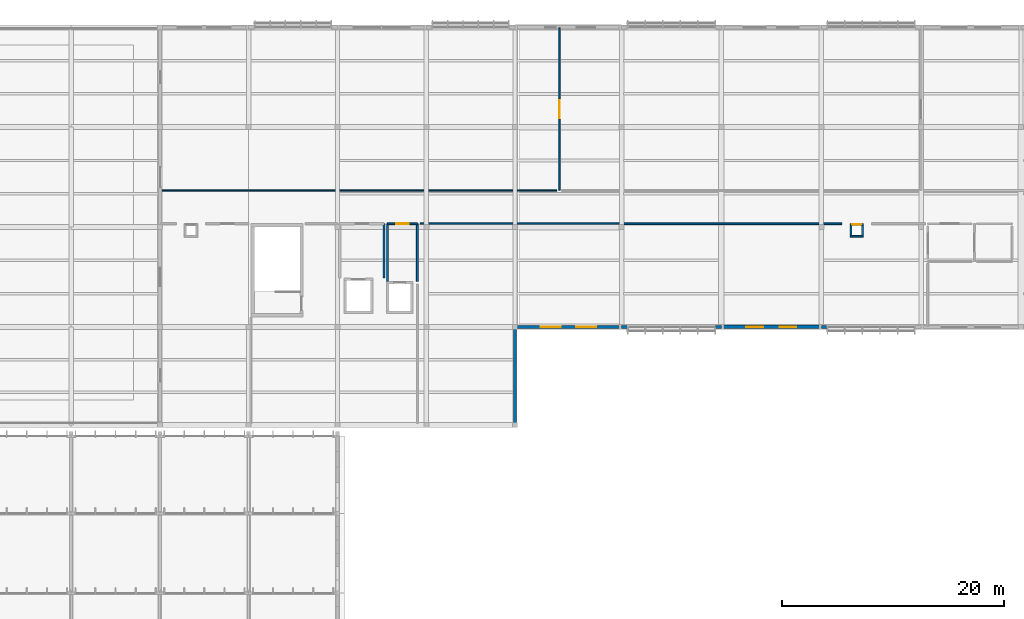
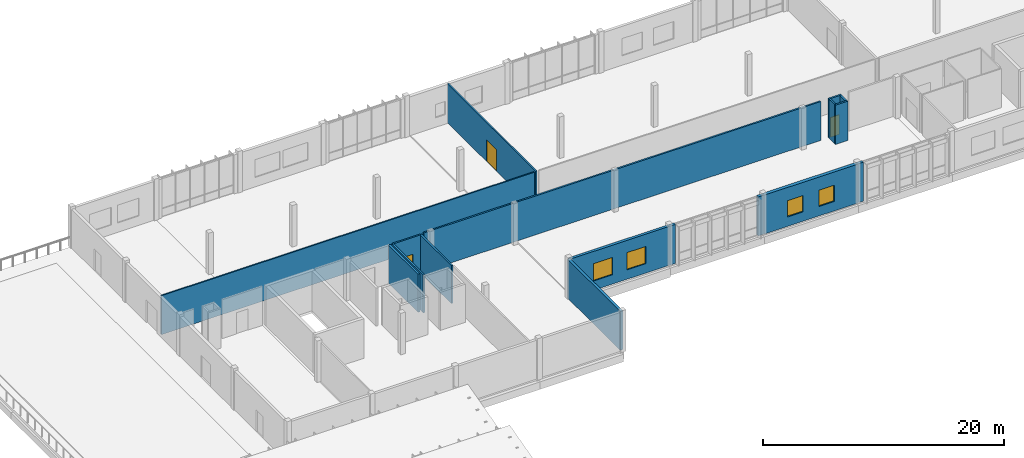
# One storey, part 85 of 94: 17 walls, 4 windows, 3 doors, 7 openings.
"""IFC4 building model written with IfcOpenShell, lengths in metres."""

from ifc_helpers import new_model, si_unit, direction, frame, frame_2d, origin, place, context, subcontext, project, spatial, rectangle, extrude, material, layer, layer_set, type_object, element, fill, save


model = new_model("IFC4")

# Units and contexts
model_context = context("Model", 3, precision=1e-05, world=origin(), true_north=direction((0.0, 1.0)))
body_context = subcontext(model_context, "Body", "Model", "MODEL_VIEW")
ifc_project = project(units=[si_unit("LENGTHUNIT", "METRE"), si_unit("AREAUNIT", "SQUARE_METRE"), si_unit("VOLUMEUNIT", "CUBIC_METRE"), si_unit("PLANEANGLEUNIT", "RADIAN"), si_unit("MASSUNIT", "GRAM", prefix="KILO")], contexts=[model_context])

# Site, building, storey
site_placement = place(None, origin())
site = spatial("IfcSite", under=ifc_project, at=site_placement, CompositionType="ELEMENT")
building_placement = place(site_placement, origin())
building = spatial("IfcBuilding", under=site, at=building_placement, Name="Chiffa Square Polytechnic", CompositionType="ELEMENT")
storey_placement = place(building_placement, frame((0.0, 0.0, 18.0)))
storey = spatial("IfcBuildingStorey", under=building, at=storey_placement, Name="L04", CompositionType="ELEMENT", Elevation=18.0)

# Wall, openings, windows
ifc_material_1 = material(Name="Precast concrete C40/50", Category="concrete")
ifc_layer_1 = layer(ifc_material_1, 0.260009765625, Name="Precast concrete C40/50")
ifc_layer_set_1 = layer_set([ifc_layer_1], Name="Precast concrete C40/50")
wall_type_1 = type_object("IfcWallType", Name="WL-EXT-PC260", PredefinedType="SOLIDWALL", material=ifc_layer_set_1)
wall_1_placement = place(storey_placement, frame((48.0, 103.800048828125, 0.0), z_axis=(0.0, 0.0, 1.0), x_axis=(1.0, 0.0, 0.0)))
wall_1 = element("IfcWall", 1, at=wall_1_placement, inside=storey, type_object=wall_type_1, Name="Exterior wall WE-V5-L04-0365", PredefinedType="SOLIDWALL", context=body_context, shape_type="SweptSolid", body=[
    extrude(rectangle(XDim=9.60009765625, YDim=0.260009765625, at=frame_2d((4.800048828125, 0.0))), origin(), (0.0, 0.0, 1.0), 3.93994140625),
])
opening_1_placement = place(wall_1_placement, frame((2.300048828125, 0.0, 0.949951171875)))
opening_1 = element("IfcOpeningElement", 2, at=opening_1_placement, cuts=wall_1, Name="Opening W-05", PredefinedType="OPENING", context=body_context, shape_type="SweptSolid", body=[
    extrude(rectangle(XDim=1.800048828125, YDim=1.75, at=frame_2d((0.89990234375, 0.875))), frame((0.0, 0.14013671875, 0.0), z_axis=(0.0, -1.0, 0.0), x_axis=(1.0, 0.0, 0.0)), (0.0, 0.0, 1.0), 0.280029296875),
])
opening_2_placement = place(wall_1_placement, frame((5.5, 0.0, 0.949951171875)))
opening_2 = element("IfcOpeningElement", 3, at=opening_2_placement, cuts=wall_1, Name="Opening W-05", PredefinedType="OPENING", context=body_context, shape_type="SweptSolid", body=[
    extrude(rectangle(XDim=1.800048828125, YDim=1.75, at=frame_2d((0.89990234375, 0.875))), frame((0.0, 0.14013671875, 0.0), z_axis=(0.0, -1.0, 0.0), x_axis=(1.0, 0.0, 0.0)), (0.0, 0.0, 1.0), 0.280029296875),
])
ifc_material_2 = material(Name="Double glazing in thermally broken aluminium frame", Category="aluminium")
window_type_1 = type_object("IfcWindowType", Name="WIN-LAB-1800X1750", PartitioningType="DOUBLE_PANEL_VERTICAL", PredefinedType="WINDOW", material=ifc_material_2)
window_1_placement = place(opening_1_placement, origin())
window_1 = element("IfcWindow", 4, at=window_1_placement, inside=storey, type_object=window_type_1, Name="Facade window WN-L04-0256", OverallHeight=1.75, OverallWidth=1.800048828125, PartitioningType="DOUBLE_PANEL_VERTICAL", PredefinedType="WINDOW", context=body_context, shape_type="SweptSolid", body=[
    extrude(rectangle(XDim=1.800048828125, YDim=1.75, at=frame_2d((0.89990234375, 0.875))), frame((0.0, 0.030029296875, 0.0), z_axis=(0.0, -1.0, 0.0), x_axis=(1.0, 0.0, 0.0)), (0.0, 0.0, 1.0), 0.06005859375),
])
fill(opening_1, window_1)
window_2_placement = place(opening_2_placement, origin())
window_2 = element("IfcWindow", 5, at=window_2_placement, inside=storey, type_object=window_type_1, Name="Facade window WN-L04-0257", OverallHeight=1.75, OverallWidth=1.800048828125, PartitioningType="DOUBLE_PANEL_VERTICAL", PredefinedType="WINDOW", context=body_context, shape_type="SweptSolid", body=[
    extrude(rectangle(XDim=1.800048828125, YDim=1.75, at=frame_2d((0.89990234375, 0.875))), frame((0.0, 0.030029296875, 0.0), z_axis=(0.0, -1.0, 0.0), x_axis=(1.0, 0.0, 0.0)), (0.0, 0.0, 1.0), 0.06005859375),
])
fill(opening_2, window_2)

# Walls
wall_2_placement = place(storey_placement, frame((75.60009765625, 103.800048828125, 0.0), z_axis=(0.0, 0.0, 1.0), x_axis=(1.0, 0.0, 0.0)))
element("IfcWall", 6, at=wall_2_placement, inside=storey, type_object=wall_type_1, Name="Facade column pier V5-L04-0368L", PredefinedType="SOLIDWALL", context=body_context, shape_type="SweptSolid", body=[
    extrude(rectangle(XDim=0.539794921875, YDim=0.260009765625, at=frame_2d((0.27001953125, 0.0))), origin(), (0.0, 0.0, 1.0), 3.93994140625),
])
ifc_layer_2 = layer(ifc_material_1, 0.280029296875, Name="Precast concrete C40/50")
ifc_layer_set_2 = layer_set([ifc_layer_2], Name="Precast concrete C40/50")
wall_type_2 = type_object("IfcWallType", Name="WL-EXT-PC280", PredefinedType="SOLIDWALL", material=ifc_layer_set_2)
wall_3_placement = place(storey_placement, frame((57.60009765625, 103.800048828125, 0.0), z_axis=(0.0, 0.0, 1.0), x_axis=(1.0, 0.0, 0.0)))
element("IfcWall", 7, at=wall_3_placement, inside=storey, type_object=wall_type_2, Name="Facade column pier V5-L04-0366L", PredefinedType="SOLIDWALL", context=body_context, shape_type="SweptSolid", body=[
    extrude(rectangle(XDim=0.539794921875, YDim=0.280029296875, at=frame_2d((0.27001953125, 0.0))), origin(), (0.0, 0.0, 1.0), 3.93994140625),
])
wall_4_placement = place(storey_placement, frame((66.06005859375, 103.800048828125, 0.0), z_axis=(0.0, 0.0, 1.0), x_axis=(1.0, 0.0, 0.0)))
element("IfcWall", 8, at=wall_4_placement, inside=storey, type_object=wall_type_2, Name="Facade column pier V5-L04-0366R", PredefinedType="SOLIDWALL", context=body_context, shape_type="SweptSolid", body=[
    extrude(rectangle(XDim=0.5400390625, YDim=0.280029296875, at=frame_2d((0.27001953125, 0.0))), origin(), (0.0, 0.0, 1.0), 3.93994140625),
])

# Wall, openings, windows
ifc_layer_3 = layer(ifc_material_1, 0.320068359375, Name="Precast concrete C40/50")
ifc_layer_set_3 = layer_set([ifc_layer_3], Name="Precast concrete C40/50")
wall_type_3 = type_object("IfcWallType", Name="WL-EXT-PC320", PredefinedType="SOLIDWALL", material=ifc_layer_set_3)
wall_5_placement = place(storey_placement, frame((66.60009765625, 103.800048828125, 0.0), z_axis=(0.0, 0.0, 1.0), x_axis=(1.0, 0.0, 0.0)))
wall_5 = element("IfcWall", 9, at=wall_5_placement, inside=storey, type_object=wall_type_3, Name="Exterior wall WE-V5-L04-0367", PredefinedType="SOLIDWALL", context=body_context, shape_type="SweptSolid", body=[
    extrude(rectangle(XDim=9.0, YDim=0.320068359375, at=frame_2d((4.5, 0.0))), origin(), (0.0, 0.0, 1.0), 3.93994140625),
])
opening_3_placement = place(wall_5_placement, frame((2.25, 0.0, 0.949951171875)))
opening_3 = element("IfcOpeningElement", 10, at=opening_3_placement, cuts=wall_5, Name="Opening W-07", PredefinedType="OPENING", context=body_context, shape_type="SweptSolid", body=[
    extrude(rectangle(XDim=1.5, YDim=1.64990234375, at=frame_2d((0.75, 0.824951171875))), frame((0.0, 0.169921875, 0.0), z_axis=(0.0, -1.0, 0.0), x_axis=(1.0, 0.0, 0.0)), (0.0, 0.0, 1.0), 0.340087890625),
])
opening_4_placement = place(wall_5_placement, frame((5.25, 0.0, 0.949951171875)))
opening_4 = element("IfcOpeningElement", 11, at=opening_4_placement, cuts=wall_5, Name="Opening W-07", PredefinedType="OPENING", context=body_context, shape_type="SweptSolid", body=[
    extrude(rectangle(XDim=1.5, YDim=1.64990234375, at=frame_2d((0.75, 0.824951171875))), frame((0.0, 0.169921875, 0.0), z_axis=(0.0, -1.0, 0.0), x_axis=(1.0, 0.0, 0.0)), (0.0, 0.0, 1.0), 0.340087890625),
])
window_type_2 = type_object("IfcWindowType", Name="WIN-LAB-1500X1650", PartitioningType="DOUBLE_PANEL_VERTICAL", PredefinedType="WINDOW", material=ifc_material_2)
window_3_placement = place(opening_3_placement, origin())
window_3 = element("IfcWindow", 12, at=window_3_placement, inside=storey, type_object=window_type_2, Name="Facade window WN-L04-0258", OverallHeight=1.64990234375, OverallWidth=1.5, PartitioningType="DOUBLE_PANEL_VERTICAL", PredefinedType="WINDOW", context=body_context, shape_type="SweptSolid", body=[
    extrude(rectangle(XDim=1.5, YDim=1.64990234375, at=frame_2d((0.75, 0.824951171875))), frame((0.0, 0.030029296875, 0.0), z_axis=(0.0, -1.0, 0.0), x_axis=(1.0, 0.0, 0.0)), (0.0, 0.0, 1.0), 0.06005859375),
])
fill(opening_3, window_3)
window_4_placement = place(opening_4_placement, origin())
window_4 = element("IfcWindow", 13, at=window_4_placement, inside=storey, type_object=window_type_2, Name="Facade window WN-L04-0259", OverallHeight=1.64990234375, OverallWidth=1.5, PartitioningType="DOUBLE_PANEL_VERTICAL", PredefinedType="WINDOW", context=body_context, shape_type="SweptSolid", body=[
    extrude(rectangle(XDim=1.5, YDim=1.64990234375, at=frame_2d((0.75, 0.824951171875))), frame((0.0, 0.030029296875, 0.0), z_axis=(0.0, -1.0, 0.0), x_axis=(1.0, 0.0, 0.0)), (0.0, 0.0, 1.0), 0.06005859375),
])
fill(opening_4, window_4)

# Wall
ifc_material_3 = material(Name="Gypsum board on steel stud", Category="steel")
ifc_layer_4 = layer(ifc_material_3, 0.125, Name="Gypsum board on steel stud")
ifc_layer_set_4 = layer_set([ifc_layer_4], Name="Gypsum board on steel stud")
wall_type_4 = type_object("IfcWallType", Name="WL-PART-125", PredefinedType="PARTITIONING", material=ifc_layer_set_4)
wall_6_placement = place(storey_placement, frame((16.054931640625, 116.10009765625, 0.0), z_axis=(0.0, 0.0, 1.0), x_axis=(1.0, 0.0, 0.0)))
element("IfcWall", 14, at=wall_6_placement, inside=storey, type_object=wall_type_4, Name="Interior partition WP-V5-L04-0659", PredefinedType="PARTITIONING", context=body_context, shape_type="SweptSolid", body=[
    extrude(rectangle(XDim=35.72509765625, YDim=0.125, at=frame_2d((17.862548828125, 0.0))), origin(), (0.0, 0.0, 1.0), 3.93994140625),
])

# Wall, opening, door
ifc_layer_5 = layer(ifc_material_3, 0.135009765625, Name="Gypsum board on steel stud")
ifc_layer_set_5 = layer_set([ifc_layer_5], Name="Gypsum board on steel stud")
wall_type_5 = type_object("IfcWallType", Name="WL-PART-135", PredefinedType="PARTITIONING", material=ifc_layer_set_5)
wall_7_placement = place(storey_placement, frame((52.0, 116.10009765625, 0.0), z_axis=(0.0, 0.0, 1.0), x_axis=(0.0, 1.0, 0.0)))
wall_7 = element("IfcWall", 15, at=wall_7_placement, inside=storey, type_object=wall_type_5, Name="Interior partition WP-V5-L04-0655", PredefinedType="PARTITIONING", context=body_context, shape_type="SweptSolid", body=[
    extrude(rectangle(XDim=14.64501953125, YDim=0.135009765625, at=frame_2d((7.322509765625, 0.0))), origin(), (0.0, 0.0, 1.0), 3.93994140625),
])
opening_5_placement = place(wall_7_placement, frame((6.52294921875, 0.0, 0.0)))
opening_5 = element("IfcOpeningElement", 16, at=opening_5_placement, cuts=wall_7, Name="Opening DI-L04-230", PredefinedType="OPENING", context=body_context, shape_type="SweptSolid", body=[
    extrude(rectangle(XDim=1.60009765625, YDim=2.199951171875, at=frame_2d((0.800048828125, 1.10009765625))), frame((0.0, 0.07763671875, 0.0), z_axis=(0.0, -1.0, 0.0), x_axis=(1.0, 0.0, 0.0)), (0.0, 0.0, 1.0), 0.155029296875),
])
ifc_material_4 = material(Name="Vision-panel timber laboratory door", Category="wood")
door_type_1 = type_object("IfcDoorType", Name="DR-LAB-DBL-1600", OperationType="DOUBLE_DOOR_SINGLE_SWING", PredefinedType="DOOR", material=ifc_material_4)
door_1_placement = place(opening_5_placement, origin())
door_1 = element("IfcDoor", 17, at=door_1_placement, inside=storey, type_object=door_type_1, Name="Interior room door DI-L04-230", OperationType="DOUBLE_DOOR_SINGLE_SWING", OverallHeight=2.199951171875, OverallWidth=1.60009765625, PredefinedType="DOOR", context=body_context, shape_type="SweptSolid", body=[
    extrude(rectangle(XDim=1.60009765625, YDim=2.199951171875, at=frame_2d((0.800048828125, 1.10009765625))), frame((0.0, 0.02490234375, 0.0), z_axis=(0.0, -1.0, 0.0), x_axis=(1.0, 0.0, 0.0)), (0.0, 0.0, 1.0), 0.050048828125),
])
fill(opening_5, door_1)

# Walls
ifc_material_5 = material(Name="Autoclaved aerated concrete blockwork", Category="masonry")
ifc_layer_6 = layer(ifc_material_5, 0.199951171875, Name="Autoclaved aerated concrete blockwork")
ifc_layer_set_6 = layer_set([ifc_layer_6], Name="Autoclaved aerated concrete blockwork")
wall_type_6 = type_object("IfcWallType", Name="WL-PART-EI120-200", PredefinedType="PARTITIONING", material=ifc_layer_set_6)
wall_8_placement = place(storey_placement, frame((36.199951171875, 108.199951171875, 0.0), z_axis=(0.0, 0.0, 1.0), x_axis=(0.0, 1.0, 0.0)))
element("IfcWall", 18, at=wall_8_placement, inside=storey, type_object=wall_type_6, Name="Lift lobby rated enclosure WP-LOB-LF-V5-L04-EAST", PredefinedType="PARTITIONING", context=body_context, shape_type="SweptSolid", body=[
    extrude(rectangle(XDim=4.900146484375, YDim=0.199951171875, at=frame_2d((2.4501953125, 0.0))), origin(), (0.0, 0.0, 1.0), 3.85009765625),
])
ifc_material_6 = material(Name="Gypsum board on acoustic steel stud", Category="steel")
ifc_layer_7 = layer(ifc_material_6, 0.159912109375, Name="Gypsum board on acoustic steel stud")
ifc_layer_set_7 = layer_set([ifc_layer_7], Name="Gypsum board on acoustic steel stud")
wall_type_7 = type_object("IfcWallType", Name="WL-PART-EI60-160", PredefinedType="PARTITIONING", material=ifc_layer_set_7)
wall_9_placement = place(storey_placement, frame((78.199951171875, 111.97998046875, 0.0), z_axis=(0.0, 0.0, 1.0), x_axis=(1.0, 0.0, 0.0)))
element("IfcWall", 19, at=wall_9_placement, inside=storey, type_object=wall_type_7, Name="Core or enclosure wall WP-RSR-V5-M-L04-SOUTH", PredefinedType="PARTITIONING", context=body_context, shape_type="SweptSolid", body=[
    extrude(rectangle(XDim=1.199951171875, YDim=0.159912109375, at=frame_2d((0.60009765625, 0.0))), origin(), (0.0, 0.0, 1.0), 3.97998046875),
])

# Wall, opening, door
wall_10_placement = place(storey_placement, frame((78.199951171875, 113.02001953125, 0.0), z_axis=(0.0, 0.0, 1.0), x_axis=(1.0, 0.0, 0.0)))
wall_10 = element("IfcWall", 20, at=wall_10_placement, inside=storey, type_object=wall_type_7, Name="Core or enclosure wall WP-RSR-V5-M-L04-NORTH", PredefinedType="PARTITIONING", context=body_context, shape_type="SweptSolid", body=[
    extrude(rectangle(XDim=1.199951171875, YDim=0.159912109375, at=frame_2d((0.60009765625, 0.0))), origin(), (0.0, 0.0, 1.0), 3.97998046875),
])
opening_6_placement = place(wall_10_placement, frame((0.175048828125, 0.0, 0.0)))
opening_6 = element("IfcOpeningElement", 21, at=opening_6_placement, cuts=wall_10, Name="Opening DI-L04-R12", PredefinedType="OPENING", context=body_context, shape_type="SweptSolid", body=[
    extrude(rectangle(XDim=0.85009765625, YDim=2.02001953125, at=frame_2d((0.425048828125, 1.010009765625))), frame((0.0, 0.08984375, 0.0), z_axis=(0.0, -1.0, 0.0), x_axis=(1.0, 0.0, 0.0)), (0.0, 0.0, 1.0), 0.179931640625),
])
ifc_material_7 = material(Name="Fire-rated steel riser access door", Category="steel")
door_type_2 = type_object("IfcDoorType", Name="DR-RISER-850", OperationType="NOTDEFINED", PredefinedType="DOOR", material=ifc_material_7)
door_2_placement = place(opening_6_placement, origin())
door_2 = element("IfcDoor", 22, at=door_2_placement, inside=storey, type_object=door_type_2, Name="Enclosure door DI-L04-R12", OperationType="SINGLE_SWING_RIGHT", OverallHeight=2.02001953125, OverallWidth=0.85009765625, PredefinedType="DOOR", context=body_context, shape_type="SweptSolid", body=[
    extrude(rectangle(XDim=0.85009765625, YDim=2.02001953125, at=frame_2d((0.425048828125, 1.010009765625))), frame((0.0, 0.02490234375, 0.0), z_axis=(0.0, -1.0, 0.0), x_axis=(1.0, 0.0, 0.0)), (0.0, 0.0, 1.0), 0.050048828125),
])
fill(opening_6, door_2)

# Walls
for number, where, z_axis, x_axis, name in (
    (23, (78.280029296875, 112.06005859375, 0.0), (0.0, 0.0, 1.0), (0.0, 1.0, 0.0), "Core or enclosure wall WP-RSR-V5-M-L04-WEST"),
    (24, (79.320068359375, 112.06005859375, 0.0), (0.0, 0.0, 1.0), (0.0, 1.0, 0.0), "Core or enclosure wall WP-RSR-V5-M-L04-EAST"),
):
    element("IfcWall", number, at=place(storey_placement, frame(where, z_axis=z_axis, x_axis=x_axis)), inside=storey, type_object=wall_type_7, Name=name, PredefinedType="PARTITIONING", context=body_context, shape_type="SweptSolid", body=[
        extrude(rectangle(XDim=0.8798828125, YDim=0.159912109375, at=frame_2d((0.43994140625, 0.0))), origin(), (0.0, 0.0, 1.0), 3.97998046875),
    ])

# Wall, opening, door
wall_11_placement = place(storey_placement, frame((36.5, 113.10009765625, 0.0), z_axis=(0.0, 0.0, 1.0), x_axis=(1.0, 0.0, 0.0)))
wall_11 = element("IfcWall", 25, at=wall_11_placement, inside=storey, type_object=wall_type_7, Name="Lift lobby rated enclosure WP-LOB-LP-V5A-L04-NORTH", PredefinedType="PARTITIONING", context=body_context, shape_type="SweptSolid", body=[
    extrude(rectangle(XDim=2.699951171875, YDim=0.159912109375, at=frame_2d((1.35009765625, 0.0))), origin(), (0.0, 0.0, 1.0), 3.85009765625),
])
opening_7_placement = place(wall_11_placement, frame((0.800048828125, 0.0, 0.0)))
opening_7 = element("IfcOpeningElement", 26, at=opening_7_placement, cuts=wall_11, Name="Opening DI-L04-043", PredefinedType="OPENING", context=body_context, shape_type="SweptSolid", body=[
    extrude(rectangle(XDim=1.10009765625, YDim=2.14990234375, at=frame_2d((0.550048828125, 1.074951171875))), frame((0.0, 0.08984375, 0.0), z_axis=(0.0, -1.0, 0.0), x_axis=(1.0, 0.0, 0.0)), (0.0, 0.0, 1.0), 0.179931640625),
])
ifc_material_8 = material(Name="Solid core ash veneer door")
door_type_3 = type_object("IfcDoorType", Name="DR-INT-1100", OperationType="NOTDEFINED", PredefinedType="DOOR", material=ifc_material_8)
door_3_placement = place(opening_7_placement, origin())
door_3 = element("IfcDoor", 27, at=door_3_placement, inside=storey, type_object=door_type_3, Name="Lift lobby fire door DI-L04-043", OperationType="SINGLE_SWING_RIGHT", OverallHeight=2.14990234375, OverallWidth=1.10009765625, PredefinedType="DOOR", context=body_context, shape_type="SweptSolid", body=[
    extrude(rectangle(XDim=1.10009765625, YDim=2.14990234375, at=frame_2d((0.550048828125, 1.074951171875))), frame((0.0, 0.02490234375, 0.0), z_axis=(0.0, -1.0, 0.0), x_axis=(1.0, 0.0, 0.0)), (0.0, 0.0, 1.0), 0.050048828125),
])
fill(opening_7, door_3)

# Walls
for number, where, z_axis, x_axis, name in (
    (28, (36.5, 107.89990234375, 0.0), (0.0, 0.0, 1.0), (0.0, 1.0, 0.0), "Lift lobby rated enclosure WP-LOB-LP-V5A-L04-WEST"),
    (29, (39.199951171875, 107.89990234375, 0.0), (0.0, 0.0, 1.0), (0.0, 1.0, 0.0), "Lift lobby rated enclosure WP-LOB-LP-V5A-L04-EAST"),
):
    element("IfcWall", number, at=place(storey_placement, frame(where, z_axis=z_axis, x_axis=x_axis)), inside=storey, type_object=wall_type_7, Name=name, PredefinedType="PARTITIONING", context=body_context, shape_type="SweptSolid", body=[
        extrude(rectangle(XDim=5.2001953125, YDim=0.159912109375, at=frame_2d((2.60009765625, 0.0))), origin(), (0.0, 0.0, 1.0), 3.85009765625),
    ])
wall_12_placement = place(storey_placement, frame((39.43994140625, 113.10009765625, 0.0), z_axis=(0.0, 0.0, 1.0), x_axis=(1.0, 0.0, 0.0)))
element("IfcWall", 30, at=wall_12_placement, inside=storey, type_object=wall_type_7, Name="Interior partition WP-V5-L04-0651", PredefinedType="PARTITIONING", context=body_context, shape_type="SweptSolid", body=[
    extrude(rectangle(XDim=38.01416015625, YDim=0.159912109375, at=frame_2d((19.007080078125, 0.0))), origin(), (0.0, 0.0, 1.0), 3.93994140625),
])
ifc_material_9 = material(Name="Concrete C35/45", Category="concrete")
ifc_layer_8 = layer(ifc_material_9, 0.25, Name="Concrete C35/45")
ifc_layer_set_8 = layer_set([ifc_layer_8], Name="Concrete C35/45")
wall_type_8 = type_object("IfcWallType", Name="WL-SJ-250", PredefinedType="SHEAR", material=ifc_layer_set_8)
wall_13_placement = place(storey_placement, frame((48.0, 95.050048828125, 0.0), z_axis=(0.0, 0.0, 1.0), x_axis=(0.0, 1.0, 0.0)))
element("IfcWall", 31, at=wall_13_placement, inside=storey, type_object=wall_type_8, Name="Seismic-joint fire wall WE-V5-L04-0364", PredefinedType="SHEAR", context=body_context, shape_type="SweptSolid", body=[
    extrude(rectangle(XDim=8.75, YDim=0.25, at=frame_2d((4.375, 0.0))), origin(), (0.0, 0.0, 1.0), 3.93994140625),
])

save(model, "model.ifc")
